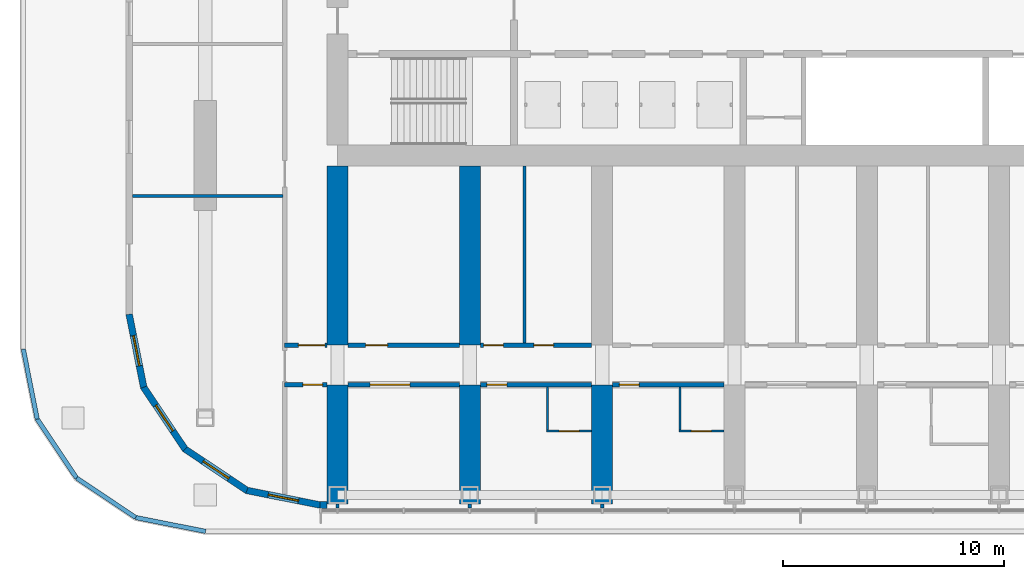
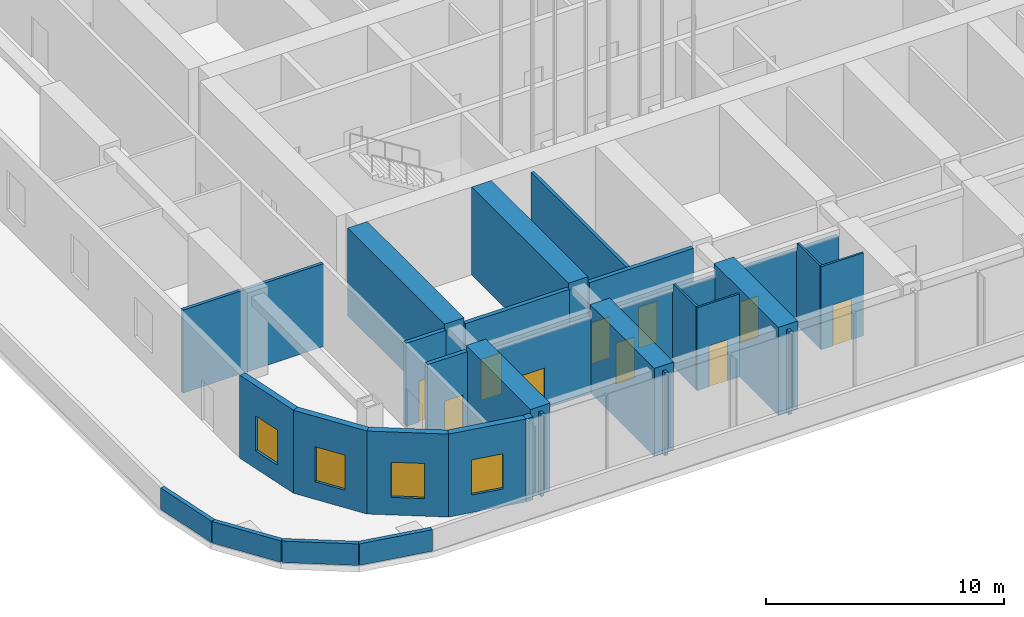
# One storey, part 10 of 32: 30 walls, 10 doors, 4 windows, 14 openings.
"""IFC4 building model written with IfcOpenShell, lengths in metres."""

from ifc_helpers import new_model, si_unit, direction, frame, frame_2d, origin, place, context, subcontext, project, spatial, polyline, rectangle, outline, extrude, material, layer, layer_set, type_object, element, fill, save


model = new_model("IFC4")

# Units and contexts
model_context = context("Model", 3, precision=1e-05, world=origin(), true_north=direction((0.0, 1.0)))
body_context = subcontext(model_context, "Body", "Model", "MODEL_VIEW")
ifc_project = project(units=[si_unit("LENGTHUNIT", "METRE"), si_unit("AREAUNIT", "SQUARE_METRE"), si_unit("VOLUMEUNIT", "CUBIC_METRE"), si_unit("PLANEANGLEUNIT", "RADIAN"), si_unit("MASSUNIT", "GRAM", prefix="KILO")], contexts=[model_context])

# Site, building, storey
site_placement = place(None, origin())
site = spatial("IfcSite", under=ifc_project, at=site_placement, CompositionType="ELEMENT")
building_placement = place(site_placement, origin())
building = spatial("IfcBuilding", under=site, at=building_placement, Name="Orbita Commons", CompositionType="ELEMENT")
storey_placement = place(building_placement, frame((0.0, 0.0, 140.35009765625)))
storey = spatial("IfcBuildingStorey", under=building, at=storey_placement, Name="L34", CompositionType="ELEMENT", Elevation=140.35009765625)

# Wall, opening, door
ifc_material_1 = material(Name="Concrete blockwork", Category="masonry")
ifc_layer_1 = layer(ifc_material_1, 0.199951171875)
ifc_layer_set_1 = layer_set([ifc_layer_1], Name="Concrete blockwork")
wall_type_1 = type_object("IfcWallType", Name="Corridor wall 200 blockwork", PredefinedType="SOLIDWALL", material=ifc_layer_set_1)
wall_1_placement = place(storey_placement, frame((15.60009765625, 15.39990234375, 0.0), z_axis=(0.0, 0.0, 1.0), x_axis=(1.0, 0.0, 0.0)))
wall_1 = element("IfcWall", 1, at=wall_1_placement, inside=storey, type_object=wall_type_1, Name="Corridor wall 200 blockwork L34", PredefinedType="SOLIDWALL", context=body_context, shape_type="SweptSolid", body=[
    extrude(rectangle(XDim=1.9248046875, YDim=0.199951171875, at=frame_2d((0.96240234375, 0.0))), origin(), (0.0, 0.0, 1.0), 4.25),
])
opening_1_placement = place(wall_1_placement, frame((0.824951171875, 0.0, 0.0)))
opening_1 = element("IfcOpeningElement", 2, at=opening_1_placement, cuts=wall_1, Name="Opening D05", PredefinedType="OPENING", context=body_context, shape_type="SweptSolid", body=[
    extrude(rectangle(XDim=0.89990234375, YDim=2.10009765625, at=frame_2d((0.449951171875, 1.050048828125))), frame((0.0, 0.10986328125, 0.0), z_axis=(0.0, -1.0, 0.0), x_axis=(1.0, 0.0, 0.0)), (0.0, 0.0, 1.0), 0.219970703125),
])
ifc_material_2 = material(Name="Steel-faced fire door leaf", Category="steel")
door_type_1 = type_object("IfcDoorType", Name="Service door 20 min 900x2100", OperationType="SINGLE_SWING_LEFT", PredefinedType="DOOR", material=ifc_material_2)
door_1_placement = place(opening_1_placement, origin())
door_1 = element("IfcDoor", 3, at=door_1_placement, inside=storey, type_object=door_type_1, Name="Linen store L34-KWS door", OperationType="SINGLE_SWING_LEFT", OverallHeight=2.10009765625, OverallWidth=0.89990234375, PredefinedType="DOOR", context=body_context, shape_type="SweptSolid", body=[
    extrude(rectangle(XDim=0.89990234375, YDim=2.10009765625, at=frame_2d((0.449951171875, 1.050048828125))), frame((0.0, 0.02490234375, 0.0), z_axis=(0.0, -1.0, 0.0), x_axis=(1.0, 0.0, 0.0)), (0.0, 0.0, 1.0), 0.050048828125),
])
fill(opening_1, door_1)

wall_2_placement = place(storey_placement, frame((18.47509765625, 15.39990234375, 0.0), z_axis=(0.0, 0.0, 1.0), x_axis=(1.0, 0.0, 0.0)))
wall_2 = element("IfcWall", 4, at=wall_2_placement, inside=storey, type_object=wall_type_1, Name="Corridor wall 200 blockwork L34", PredefinedType="SOLIDWALL", context=body_context, shape_type="SweptSolid", body=[
    extrude(outline(polyline([(0.0, 0.0), (5.0498046875, 0.0), (5.050048828125, 3.849853515625), (0.0, 3.849853515625), (0.0, 0.0)])), frame((0.0, 0.10009765625, 0.0), z_axis=(0.0, -1.0, 0.0), x_axis=(1.0, 0.0, 0.0)), (0.0, 0.0, 1.0), 0.199951171875),
])
opening_2_placement = place(wall_2_placement, frame((1.0, 0.0, 0.0)))
opening_2 = element("IfcOpeningElement", 5, at=opening_2_placement, cuts=wall_2, Name="Opening D07", PredefinedType="OPENING", context=body_context, shape_type="SweptSolid", body=[
    extrude(rectangle(XDim=1.800048828125, YDim=2.10009765625, at=frame_2d((0.89990234375, 1.050048828125))), frame((0.0, 0.10986328125, 0.0), z_axis=(0.0, -1.0, 0.0), x_axis=(1.0, 0.0, 0.0)), (0.0, 0.0, 1.0), 0.219970703125),
])
ifc_material_3 = material(Name="Steel-faced fire door leaf", Category="steel")
door_type_2 = type_object("IfcDoorType", Name="Double corridor door 20 min 1800x2100", OperationType="DOUBLE_DOOR_SINGLE_SWING", PredefinedType="DOOR", material=ifc_material_3)
door_2_placement = place(opening_2_placement, origin())
door_2 = element("IfcDoor", 6, at=door_2_placement, inside=storey, type_object=door_type_2, Name="Researchers' lounge L34-SF1 doors", OperationType="DOUBLE_DOOR_SINGLE_SWING", OverallHeight=2.10009765625, OverallWidth=1.800048828125, PredefinedType="DOOR", context=body_context, shape_type="SweptSolid", body=[
    extrude(rectangle(XDim=1.800048828125, YDim=2.10009765625, at=frame_2d((0.89990234375, 1.050048828125))), frame((0.0, 0.02490234375, 0.0), z_axis=(0.0, -1.0, 0.0), x_axis=(1.0, 0.0, 0.0)), (0.0, 0.0, 1.0), 0.050048828125),
])
fill(opening_2, door_2)

wall_3_placement = place(storey_placement, frame((24.47509765625, 15.39990234375, 0.0), z_axis=(0.0, 0.0, 1.0), x_axis=(1.0, 0.0, 0.0)))
wall_3 = element("IfcWall", 7, at=wall_3_placement, inside=storey, type_object=wall_type_1, Name="Corridor wall 200 blockwork L34", PredefinedType="SOLIDWALL", context=body_context, shape_type="SweptSolid", body=[
    extrude(outline(polyline([(0.0, 0.0), (5.0498046875, 0.0), (5.050048828125, 3.849853515625), (0.0, 3.849853515625), (0.0, 0.0)])), frame((0.0, 0.10009765625, 0.0), z_axis=(0.0, -1.0, 0.0), x_axis=(1.0, 0.0, 0.0)), (0.0, 0.0, 1.0), 0.199951171875),
])
opening_3_placement = place(wall_3_placement, frame((0.300048828125, 0.0, 0.0)))
opening_3 = element("IfcOpeningElement", 8, at=opening_3_placement, cuts=wall_3, Name="Opening D11", PredefinedType="OPENING", context=body_context, shape_type="SweptSolid", body=[
    extrude(rectangle(XDim=0.89990234375, YDim=2.10009765625, at=frame_2d((0.449951171875, 1.050048828125))), frame((0.0, 0.10986328125, 0.0), z_axis=(0.0, -1.0, 0.0), x_axis=(1.0, 0.0, 0.0)), (0.0, 0.0, 1.0), 0.219970703125),
])
ifc_material_4 = material(Name="Steel-faced fire door leaf", Category="steel")
door_type_3 = type_object("IfcDoorType", Name="Corridor door 20 min 900x2100", OperationType="SINGLE_SWING_LEFT", PredefinedType="DOOR", material=ifc_material_4)
door_3_placement = place(opening_3_placement, origin())
door_3 = element("IfcDoor", 9, at=door_3_placement, inside=storey, type_object=door_type_3, Name="Guest studio with kitchenette L34-SF2 door", OperationType="SINGLE_SWING_LEFT", OverallHeight=2.10009765625, OverallWidth=0.89990234375, PredefinedType="DOOR", context=body_context, shape_type="SweptSolid", body=[
    extrude(rectangle(XDim=0.89990234375, YDim=2.10009765625, at=frame_2d((0.449951171875, 1.050048828125))), frame((0.0, 0.02490234375, 0.0), z_axis=(0.0, -1.0, 0.0), x_axis=(1.0, 0.0, 0.0)), (0.0, 0.0, 1.0), 0.050048828125),
])
fill(opening_3, door_3)

wall_4_placement = place(storey_placement, frame((30.47509765625, 15.39990234375, 0.0), z_axis=(0.0, 0.0, 1.0), x_axis=(1.0, 0.0, 0.0)))
wall_4 = element("IfcWall", 10, at=wall_4_placement, inside=storey, type_object=wall_type_1, Name="Corridor wall 200 blockwork L34", PredefinedType="SOLIDWALL", context=body_context, shape_type="SweptSolid", body=[
    extrude(outline(polyline([(0.0, 0.0), (5.0498046875, 0.0), (5.050048828125, 3.849853515625), (0.0, 3.849853515625), (0.0, 0.0)])), frame((0.0, 0.10009765625, 0.0), z_axis=(0.0, -1.0, 0.0), x_axis=(1.0, 0.0, 0.0)), (0.0, 0.0, 1.0), 0.199951171875),
])
opening_4_placement = place(wall_4_placement, frame((0.300048828125, 0.0, 0.0)))
opening_4 = element("IfcOpeningElement", 11, at=opening_4_placement, cuts=wall_4, Name="Opening D11", PredefinedType="OPENING", context=body_context, shape_type="SweptSolid", body=[
    extrude(rectangle(XDim=0.89990234375, YDim=2.10009765625, at=frame_2d((0.449951171875, 1.050048828125))), frame((0.0, 0.10986328125, 0.0), z_axis=(0.0, -1.0, 0.0), x_axis=(1.0, 0.0, 0.0)), (0.0, 0.0, 1.0), 0.219970703125),
])
door_4_placement = place(opening_4_placement, origin())
door_4 = element("IfcDoor", 12, at=door_4_placement, inside=storey, type_object=door_type_3, Name="Guest studio with kitchenette L34-SF3 door", OperationType="SINGLE_SWING_LEFT", OverallHeight=2.10009765625, OverallWidth=0.89990234375, PredefinedType="DOOR", context=body_context, shape_type="SweptSolid", body=[
    extrude(rectangle(XDim=0.89990234375, YDim=2.10009765625, at=frame_2d((0.449951171875, 1.050048828125))), frame((0.0, 0.02490234375, 0.0), z_axis=(0.0, -1.0, 0.0), x_axis=(1.0, 0.0, 0.0)), (0.0, 0.0, 1.0), 0.050048828125),
])
fill(opening_4, door_4)

ifc_material_5 = material(Name="Hollow concrete block 200", Category="concrete")
ifc_layer_2 = layer(ifc_material_5, 0.199951171875)
ifc_layer_set_2 = layer_set([ifc_layer_2], Name="Hollow concrete block 200")
wall_type_2 = type_object("IfcWallType", Name="Corridor wall 200 hollow concrete block", PredefinedType="SOLIDWALL", material=ifc_layer_set_2)
wall_5_placement = place(storey_placement, frame((15.60009765625, 17.199951171875, 0.0), z_axis=(0.0, 0.0, 1.0), x_axis=(1.0, 0.0, 0.0)))
wall_5 = element("IfcWall", 13, at=wall_5_placement, inside=storey, type_object=wall_type_2, Name="Corridor wall 200 hollow concrete block L34", PredefinedType="SOLIDWALL", context=body_context, shape_type="SweptSolid", body=[
    extrude(rectangle(XDim=1.9248046875, YDim=0.199951171875, at=frame_2d((0.96240234375, 0.0))), origin(), (0.0, 0.0, 1.0), 4.25),
])
opening_5_placement = place(wall_5_placement, frame((0.625, 0.0, 0.0)))
opening_5 = element("IfcOpeningElement", 14, at=opening_5_placement, cuts=wall_5, Name="Opening D12", PredefinedType="OPENING", context=body_context, shape_type="SweptSolid", body=[
    extrude(rectangle(XDim=1.199951171875, YDim=2.10009765625, at=frame_2d((0.60009765625, 1.050048828125))), frame((0.0, 0.10986328125, 0.0), z_axis=(0.0, -1.0, 0.0), x_axis=(1.0, 0.0, 0.0)), (0.0, 0.0, 1.0), 0.219970703125),
])
ifc_material_6 = material(Name="Steel-faced fire door leaf", Category="steel")
door_type_4 = type_object("IfcDoorType", Name="Double corridor door 20 min 1200x2100", OperationType="DOUBLE_DOOR_SINGLE_SWING", PredefinedType="DOOR", material=ifc_material_6)
door_5_placement = place(opening_5_placement, origin())
door_5 = element("IfcDoor", 15, at=door_5_placement, inside=storey, type_object=door_type_4, Name="Cross corridor doors", OperationType="DOUBLE_DOOR_SINGLE_SWING", OverallHeight=2.10009765625, OverallWidth=1.199951171875, PredefinedType="DOOR", context=body_context, shape_type="SweptSolid", body=[
    extrude(rectangle(XDim=1.199951171875, YDim=2.10009765625, at=frame_2d((0.60009765625, 1.050048828125))), frame((0.0, 0.02490234375, 0.0), z_axis=(0.0, -1.0, 0.0), x_axis=(1.0, 0.0, 0.0)), (0.0, 0.0, 1.0), 0.050048828125),
])
fill(opening_5, door_5)

wall_6_placement = place(storey_placement, frame((18.47509765625, 17.199951171875, 0.0), z_axis=(0.0, 0.0, 1.0), x_axis=(1.0, 0.0, 0.0)))
wall_6 = element("IfcWall", 16, at=wall_6_placement, inside=storey, type_object=wall_type_2, Name="Corridor wall 200 hollow concrete block L34", PredefinedType="SOLIDWALL", context=body_context, shape_type="SweptSolid", body=[
    extrude(rectangle(XDim=5.0498046875, YDim=0.199951171875, at=frame_2d((2.52490234375, 0.0))), origin(), (0.0, 0.0, 1.0), 4.25),
])
opening_6_placement = place(wall_6_placement, frame((0.800048828125, 0.0, 0.0)))
opening_6 = element("IfcOpeningElement", 17, at=opening_6_placement, cuts=wall_6, Name="Opening D06", PredefinedType="OPENING", context=body_context, shape_type="SweptSolid", body=[
    extrude(rectangle(XDim=1.0, YDim=2.10009765625, at=frame_2d((0.5, 1.050048828125))), frame((0.0, 0.10986328125, 0.0), z_axis=(0.0, -1.0, 0.0), x_axis=(1.0, 0.0, 0.0)), (0.0, 0.0, 1.0), 0.219970703125),
])
ifc_material_7 = material(Name="Steel-faced fire door leaf", Category="steel")
door_type_5 = type_object("IfcDoorType", Name="Corridor door 20 min 1000x2100", OperationType="SINGLE_SWING_LEFT", PredefinedType="DOOR", material=ifc_material_7)
door_6_placement = place(opening_6_placement, origin())
door_6 = element("IfcDoor", 18, at=door_6_placement, inside=storey, type_object=door_type_5, Name="Catering store L34-BDS18 door", OperationType="SINGLE_SWING_LEFT", OverallHeight=2.10009765625, OverallWidth=1.0, PredefinedType="DOOR", context=body_context, shape_type="SweptSolid", body=[
    extrude(rectangle(XDim=1.0, YDim=2.10009765625, at=frame_2d((0.5, 1.050048828125))), frame((0.0, 0.02490234375, 0.0), z_axis=(0.0, -1.0, 0.0), x_axis=(1.0, 0.0, 0.0)), (0.0, 0.0, 1.0), 0.050048828125),
])
fill(opening_6, door_6)

# Wall, openings, doors
wall_7_placement = place(storey_placement, frame((24.47509765625, 17.199951171875, 0.0), z_axis=(0.0, 0.0, 1.0), x_axis=(1.0, 0.0, 0.0)))
wall_7 = element("IfcWall", 19, at=wall_7_placement, inside=storey, type_object=wall_type_2, Name="Corridor wall 200 hollow concrete block L34", PredefinedType="SOLIDWALL", context=body_context, shape_type="SweptSolid", body=[
    extrude(rectangle(XDim=5.0498046875, YDim=0.199951171875, at=frame_2d((2.52490234375, 0.0))), origin(), (0.0, 0.0, 1.0), 4.25),
])
opening_7_placement = place(wall_7_placement, frame((0.14990234375, 0.0, 0.0)))
opening_7 = element("IfcOpeningElement", 20, at=opening_7_placement, cuts=wall_7, Name="Opening D11", PredefinedType="OPENING", context=body_context, shape_type="SweptSolid", body=[
    extrude(rectangle(XDim=0.89990234375, YDim=2.10009765625, at=frame_2d((0.449951171875, 1.050048828125))), frame((0.0, 0.10986328125, 0.0), z_axis=(0.0, -1.0, 0.0), x_axis=(1.0, 0.0, 0.0)), (0.0, 0.0, 1.0), 0.219970703125),
])
opening_8_placement = place(wall_7_placement, frame((2.425048828125, 0.0, 0.0)))
opening_8 = element("IfcOpeningElement", 21, at=opening_8_placement, cuts=wall_7, Name="Opening D11", PredefinedType="OPENING", context=body_context, shape_type="SweptSolid", body=[
    extrude(rectangle(XDim=0.89990234375, YDim=2.10009765625, at=frame_2d((0.449951171875, 1.050048828125))), frame((0.0, 0.10986328125, 0.0), z_axis=(0.0, -1.0, 0.0), x_axis=(1.0, 0.0, 0.0)), (0.0, 0.0, 1.0), 0.219970703125),
])
door_7_placement = place(opening_7_placement, origin())
door_7 = element("IfcDoor", 22, at=door_7_placement, inside=storey, type_object=door_type_3, Name="Accessible WC and shower room L34-BDS24n door", OperationType="SINGLE_SWING_LEFT", OverallHeight=2.10009765625, OverallWidth=0.89990234375, PredefinedType="DOOR", context=body_context, shape_type="SweptSolid", body=[
    extrude(rectangle(XDim=0.89990234375, YDim=2.10009765625, at=frame_2d((0.449951171875, 1.050048828125))), frame((0.0, 0.02490234375, 0.0), z_axis=(0.0, -1.0, 0.0), x_axis=(1.0, 0.0, 0.0)), (0.0, 0.0, 1.0), 0.050048828125),
])
fill(opening_7, door_7)
door_8_placement = place(opening_8_placement, origin())
door_8 = element("IfcDoor", 23, at=door_8_placement, inside=storey, type_object=door_type_3, Name="Seminar room L34-BDS24 door", OperationType="SINGLE_SWING_LEFT", OverallHeight=2.10009765625, OverallWidth=0.89990234375, PredefinedType="DOOR", context=body_context, shape_type="SweptSolid", body=[
    extrude(rectangle(XDim=0.89990234375, YDim=2.10009765625, at=frame_2d((0.449951171875, 1.050048828125))), frame((0.0, 0.02490234375, 0.0), z_axis=(0.0, -1.0, 0.0), x_axis=(1.0, 0.0, 0.0)), (0.0, 0.0, 1.0), 0.050048828125),
])
fill(opening_8, door_8)

# Walls
ifc_material_8 = material(Name="Concrete C50/60", Category="concrete")
ifc_layer_3 = layer(ifc_material_8, 0.949951171875)
ifc_layer_set_3 = layer_set([ifc_layer_3], Name="Concrete C50/60")
wall_type_3 = type_object("IfcWallType", Name="Cross wall 950 C50/60", PredefinedType="SHEAR", material=ifc_layer_set_3)
wall_8_placement = place(storey_placement, frame((18.0, 10.0, 0.0), z_axis=(0.0, 0.0, 1.0), x_axis=(0.0, 1.0, 0.0)))
element("IfcWall", 24, at=wall_8_placement, inside=storey, type_object=wall_type_3, Name="Cross wall 4 south outer L34", PredefinedType="SHEAR", context=body_context, shape_type="SweptSolid", body=[
    extrude(rectangle(XDim=5.39990234375, YDim=0.949951171875, at=frame_2d((2.699951171875, 0.0))), origin(), (0.0, 0.0, 1.0), 4.5),
])
wall_9_placement = place(storey_placement, frame((18.0, 17.199951171875, 0.0), z_axis=(0.0, 0.0, 1.0), x_axis=(0.0, 1.0, 0.0)))
element("IfcWall", 25, at=wall_9_placement, inside=storey, type_object=wall_type_3, Name="Cross wall 4 south inner L34", PredefinedType="SHEAR", context=body_context, shape_type="SweptSolid", body=[
    extrude(rectangle(XDim=8.125, YDim=0.949951171875, at=frame_2d((4.0625, 0.0))), origin(), (0.0, 0.0, 1.0), 4.5),
])
wall_10_placement = place(storey_placement, frame((24.0, 10.0, 0.0), z_axis=(0.0, 0.0, 1.0), x_axis=(0.0, 1.0, 0.0)))
element("IfcWall", 26, at=wall_10_placement, inside=storey, type_object=wall_type_3, Name="Cross wall 5 south outer L34", PredefinedType="SHEAR", context=body_context, shape_type="SweptSolid", body=[
    extrude(rectangle(XDim=5.39990234375, YDim=0.949951171875, at=frame_2d((2.699951171875, 0.0))), origin(), (0.0, 0.0, 1.0), 4.5),
])
wall_11_placement = place(storey_placement, frame((24.0, 17.199951171875, 0.0), z_axis=(0.0, 0.0, 1.0), x_axis=(0.0, 1.0, 0.0)))
element("IfcWall", 27, at=wall_11_placement, inside=storey, type_object=wall_type_3, Name="Cross wall 5 south inner L34", PredefinedType="SHEAR", context=body_context, shape_type="SweptSolid", body=[
    extrude(rectangle(XDim=8.125, YDim=0.949951171875, at=frame_2d((4.0625, 0.0))), origin(), (0.0, 0.0, 1.0), 4.5),
])
wall_12_placement = place(storey_placement, frame((30.0, 10.0, 0.0), z_axis=(0.0, 0.0, 1.0), x_axis=(0.0, 1.0, 0.0)))
element("IfcWall", 28, at=wall_12_placement, inside=storey, type_object=wall_type_3, Name="Cross wall 6 south outer L34", PredefinedType="SHEAR", context=body_context, shape_type="SweptSolid", body=[
    extrude(rectangle(XDim=5.39990234375, YDim=0.949951171875, at=frame_2d((2.699951171875, 0.0))), origin(), (0.0, 0.0, 1.0), 4.5),
])

# Wall, opening, door
ifc_material_9 = material(Name="Moisture-resistant plasterboard on steel studs", Category="steel")
ifc_layer_4 = layer(ifc_material_9, 0.10009765625)
ifc_layer_set_4 = layer_set([ifc_layer_4], Name="Moisture-resistant plasterboard on steel studs")
wall_type_4 = type_object("IfcWallType", Name="En-suite partition 100", PredefinedType="PARTITIONING", material=ifc_layer_set_4)
wall_13_placement = place(storey_placement, frame((29.52490234375, 13.300048828125, 0.0), z_axis=(0.0, 0.0, 1.0), x_axis=(-1.0, 0.0, 0.0)))
wall_13 = element("IfcWall", 29, at=wall_13_placement, inside=storey, type_object=wall_type_4, Name="En-suite partition 100 L34", PredefinedType="PARTITIONING", context=body_context, shape_type="SweptSolid", body=[
    extrude(rectangle(XDim=2.0498046875, YDim=0.10009765625, at=frame_2d((1.02490234375, 0.0))), origin(), (0.0, 0.0, 1.0), 4.25),
])
opening_9_placement = place(wall_13_placement, frame((0.574951171875, 0.0, 0.0)))
opening_9 = element("IfcOpeningElement", 30, at=opening_9_placement, cuts=wall_13, Name="Opening D09", PredefinedType="OPENING", context=body_context, shape_type="SweptSolid", body=[
    extrude(rectangle(XDim=0.89990234375, YDim=2.10009765625, at=frame_2d((0.449951171875, 1.050048828125))), frame((0.0, 0.06005859375, 0.0), z_axis=(0.0, -1.0, 0.0), x_axis=(1.0, 0.0, 0.0)), (0.0, 0.0, 1.0), 0.1201171875),
])
ifc_material_10 = material(Name="Laminated timber door leaf", Category="wood")
door_type_6 = type_object("IfcDoorType", Name="En-suite door 900x2100", OperationType="SINGLE_SWING_RIGHT", PredefinedType="DOOR", material=ifc_material_10)
door_9_placement = place(opening_9_placement, origin())
door_9 = element("IfcDoor", 31, at=door_9_placement, inside=storey, type_object=door_type_6, Name="En-suite L34-SF2 door", OperationType="SINGLE_SWING_RIGHT", OverallHeight=2.10009765625, OverallWidth=0.89990234375, PredefinedType="DOOR", context=body_context, shape_type="SweptSolid", body=[
    extrude(rectangle(XDim=0.89990234375, YDim=2.10009765625, at=frame_2d((0.449951171875, 1.050048828125))), frame((0.0, 0.02490234375, 0.0), z_axis=(0.0, -1.0, 0.0), x_axis=(1.0, 0.0, 0.0)), (0.0, 0.0, 1.0), 0.050048828125),
])
fill(opening_9, door_9)

# Wall
wall_14_placement = place(storey_placement, frame((27.52490234375, 13.35009765625, 0.0), z_axis=(0.0, 0.0, 1.0), x_axis=(0.0, 1.0, 0.0)))
element("IfcWall", 32, at=wall_14_placement, inside=storey, type_object=wall_type_4, Name="En-suite partition 100 L34", PredefinedType="PARTITIONING", context=body_context, shape_type="SweptSolid", body=[
    extrude(outline(polyline([(0.0, 0.0), (1.949951171875, 0.0), (1.949951171875, 3.849853515625), (1.902099609375, 3.849853515625), (1.89990234375, 4.25), (0.0, 4.25), (0.0, 0.0)])), frame((0.0, 0.050048828125, 0.0), z_axis=(0.0, -1.0, 0.0), x_axis=(1.0, 0.0, 0.0)), (0.0, 0.0, 1.0), 0.10009765625),
])

# Wall, opening, door
wall_15_placement = place(storey_placement, frame((35.52490234375, 13.300048828125, 0.0), z_axis=(0.0, 0.0, 1.0), x_axis=(-1.0, 0.0, 0.0)))
wall_15 = element("IfcWall", 33, at=wall_15_placement, inside=storey, type_object=wall_type_4, Name="En-suite partition 100 L34", PredefinedType="PARTITIONING", context=body_context, shape_type="SweptSolid", body=[
    extrude(rectangle(XDim=2.0498046875, YDim=0.10009765625, at=frame_2d((1.02490234375, 0.0))), origin(), (0.0, 0.0, 1.0), 4.25),
])
opening_10_placement = place(wall_15_placement, frame((0.574951171875, 0.0, 0.0)))
opening_10 = element("IfcOpeningElement", 34, at=opening_10_placement, cuts=wall_15, Name="Opening D09", PredefinedType="OPENING", context=body_context, shape_type="SweptSolid", body=[
    extrude(rectangle(XDim=0.89990234375, YDim=2.10009765625, at=frame_2d((0.449951171875, 1.050048828125))), frame((0.0, 0.06005859375, 0.0), z_axis=(0.0, -1.0, 0.0), x_axis=(1.0, 0.0, 0.0)), (0.0, 0.0, 1.0), 0.1201171875),
])
door_10_placement = place(opening_10_placement, origin())
door_10 = element("IfcDoor", 35, at=door_10_placement, inside=storey, type_object=door_type_6, Name="En-suite L34-SF3 door", OperationType="SINGLE_SWING_RIGHT", OverallHeight=2.10009765625, OverallWidth=0.89990234375, PredefinedType="DOOR", context=body_context, shape_type="SweptSolid", body=[
    extrude(rectangle(XDim=0.89990234375, YDim=2.10009765625, at=frame_2d((0.449951171875, 1.050048828125))), frame((0.0, 0.02490234375, 0.0), z_axis=(0.0, -1.0, 0.0), x_axis=(1.0, 0.0, 0.0)), (0.0, 0.0, 1.0), 0.050048828125),
])
fill(opening_10, door_10)

# Walls
wall_16_placement = place(storey_placement, frame((33.52490234375, 13.35009765625, 0.0), z_axis=(0.0, 0.0, 1.0), x_axis=(0.0, 1.0, 0.0)))
element("IfcWall", 36, at=wall_16_placement, inside=storey, type_object=wall_type_4, Name="En-suite partition 100 L34", PredefinedType="PARTITIONING", context=body_context, shape_type="SweptSolid", body=[
    extrude(outline(polyline([(0.0, 0.0), (1.949951171875, 0.0), (1.949951171875, 3.849853515625), (1.902099609375, 3.849853515625), (1.89990234375, 4.25), (0.0, 4.25), (0.0, 0.0)])), frame((0.0, 0.050048828125, 0.0), z_axis=(0.0, -1.0, 0.0), x_axis=(1.0, 0.0, 0.0)), (0.0, 0.0, 1.0), 0.10009765625),
])
ifc_material_11 = material(Name="Gypsum plasterboard on steel studs", Category="steel")
ifc_layer_5 = layer(ifc_material_11, 0.14990234375)
ifc_layer_set_5 = layer_set([ifc_layer_5], Name="Gypsum plasterboard on steel studs")
wall_type_5 = type_object("IfcWallType", Name="Partition 150 plasterboard", PredefinedType="PARTITIONING", material=ifc_layer_set_5)
wall_17_placement = place(storey_placement, frame((26.47509765625, 17.300048828125, 0.0), z_axis=(0.0, 0.0, 1.0), x_axis=(0.0, 1.0, 0.0)))
element("IfcWall", 37, at=wall_17_placement, inside=storey, type_object=wall_type_5, Name="Partition 150 plasterboard L34", PredefinedType="PARTITIONING", context=body_context, shape_type="SweptSolid", body=[
    extrude(rectangle(XDim=8.02490234375, YDim=0.14990234375, at=frame_2d((4.012451171875, 0.0))), origin(), (0.0, 0.0, 1.0), 4.25),
])
wall_18_placement = place(storey_placement, frame((8.705078125, 23.9599609375, 0.0), z_axis=(0.0, 0.0, 1.0), x_axis=(1.0, 0.0, 0.0)))
element("IfcWall", 38, at=wall_18_placement, inside=storey, type_object=wall_type_5, Name="Partition 150 plasterboard L34", PredefinedType="PARTITIONING", context=body_context, shape_type="SweptSolid", body=[
    extrude(rectangle(XDim=6.81982421875, YDim=0.14990234375, at=frame_2d((3.409912109375, 0.0))), origin(), (0.0, 0.0, 1.0), 4.25),
])
for number, where, z_axis, x_axis, name in (
    (39, (18.0, 10.0, 0.0), (0.0, 0.0, 1.0), (0.0, -1.0, 0.0), "Partition 150 plasterboard L34"),
    (40, (24.0, 10.0, 0.0), (0.0, 0.0, 1.0), (0.0, -1.0, 0.0), "Partition 150 plasterboard L34"),
    (41, (30.0, 10.0, 0.0), (0.0, 0.0, 1.0), (0.0, -1.0, 0.0), "Partition 150 plasterboard L34"),
):
    element("IfcWall", number, at=place(storey_placement, frame(where, z_axis=z_axis, x_axis=x_axis)), inside=storey, type_object=wall_type_5, Name=name, PredefinedType="PARTITIONING", context=body_context, shape_type="SweptSolid", body=[
        extrude(rectangle(XDim=0.18994140625, YDim=0.14990234375, at=frame_2d((0.094970703125, 0.0))), origin(), (0.0, 0.0, 1.0), 4.25),
    ])

# Wall, opening, window
ifc_material_12 = material(Name="Precast concrete C40/50, white board-marked finish", Category="concrete")
ifc_layer_6 = layer(ifc_material_12, 0.300048828125)
ifc_layer_set_6 = layer_set([ifc_layer_6], Name="Precast concrete C40/50, white board-marked finish")
wall_type_6 = type_object("IfcWallType", Name="Precast concrete end shield 300", PredefinedType="SOLIDWALL", material=ifc_layer_set_6)
wall_19_placement = place(storey_placement, frame((8.550048828125, 18.60009765625, 0.0), z_axis=(0.0, 0.0, 1.0), x_axis=(0.19508664885, -0.980786011034, 0.0)))
wall_19 = element("IfcWall", 42, at=wall_19_placement, inside=storey, type_object=wall_type_6, Name="End shield SW chord 1 L34", PredefinedType="SOLIDWALL", context=body_context, shape_type="SweptSolid", body=[
    extrude(outline(polyline([(-0.014892578125, -0.14990234375), (3.405029296875, -0.14990234375), (3.345458984375, 0.14990234375), (0.014892578125, 0.14990234375), (-0.014892578125, -0.14990234375)])), origin(), (0.0, 0.0, 1.0), 4.25),
])
opening_11_placement = place(wall_19_placement, frame((0.987548828125, 0.0, 0.89990234375)))
opening_11 = element("IfcOpeningElement", 43, at=opening_11_placement, cuts=wall_19, Name="Opening W02", PredefinedType="OPENING", context=body_context, shape_type="SweptSolid", body=[
    extrude(rectangle(XDim=1.39990234375, YDim=1.800048828125, at=frame_2d((0.699951171875, 0.89990234375))), frame((0.0, 0.159912109375, 0.0), z_axis=(0.0, -1.0, 0.0), x_axis=(1.0, 0.0, 0.0)), (0.0, 0.0, 1.0), 0.320068359375),
])
ifc_material_13 = material(Name="Aluminium frame, clear double glazing", Category="aluminium")
window_type = type_object("IfcWindowType", Name="Deep-set window 1400x1800", PartitioningType="SINGLE_PANEL", PredefinedType="WINDOW", material=ifc_material_13)
window_1_placement = place(opening_11_placement, origin())
window_1 = element("IfcWindow", 44, at=window_1_placement, inside=storey, type_object=window_type, Name="Window L34-SW0", OverallHeight=1.800048828125, OverallWidth=1.39990234375, PartitioningType="SINGLE_PANEL", PredefinedType="WINDOW", context=body_context, shape_type="SweptSolid", body=[
    extrude(rectangle(XDim=1.39990234375, YDim=1.800048828125, at=frame_2d((0.699951171875, 0.89990234375))), frame((0.0, 0.030029296875, 0.0), z_axis=(0.0, -1.0, 0.0), x_axis=(1.0, 0.0, 0.0)), (0.0, 0.0, 1.0), 0.06005859375),
])
fill(opening_11, window_1)

wall_20_placement = place(storey_placement, frame((9.20849609375, 15.289794921875, 0.0), z_axis=(0.0, 0.0, 1.0), x_axis=(0.555534554399, -0.831493450887, 0.0)))
wall_20 = element("IfcWall", 45, at=wall_20_placement, inside=storey, type_object=wall_type_6, Name="End shield SW chord 2 L34", PredefinedType="SOLIDWALL", context=body_context, shape_type="SweptSolid", body=[
    extrude(outline(polyline([(-0.02978515625, -0.14990234375), (3.405029296875, -0.14990234375), (3.345458984375, 0.14990234375), (0.02978515625, 0.14990234375), (-0.02978515625, -0.14990234375)])), origin(), (0.0, 0.0, 1.0), 4.25),
])
opening_12_placement = place(wall_20_placement, frame((0.987548828125, 0.0, 0.89990234375)))
opening_12 = element("IfcOpeningElement", 46, at=opening_12_placement, cuts=wall_20, Name="Opening W02", PredefinedType="OPENING", context=body_context, shape_type="SweptSolid", body=[
    extrude(rectangle(XDim=1.39990234375, YDim=1.800048828125, at=frame_2d((0.699951171875, 0.89990234375))), frame((0.0, 0.159912109375, 0.0), z_axis=(0.0, -1.0, 0.0), x_axis=(1.0, 0.0, 0.0)), (0.0, 0.0, 1.0), 0.320068359375),
])
window_2_placement = place(opening_12_placement, origin())
window_2 = element("IfcWindow", 47, at=window_2_placement, inside=storey, type_object=window_type, Name="Window L34-SW1", OverallHeight=1.800048828125, OverallWidth=1.39990234375, PartitioningType="SINGLE_PANEL", PredefinedType="WINDOW", context=body_context, shape_type="SweptSolid", body=[
    extrude(rectangle(XDim=1.39990234375, YDim=1.800048828125, at=frame_2d((0.699951171875, 0.89990234375))), frame((0.0, 0.030029296875, 0.0), z_axis=(0.0, -1.0, 0.0), x_axis=(1.0, 0.0, 0.0)), (0.0, 0.0, 1.0), 0.06005859375),
])
fill(opening_12, window_2)

wall_21_placement = place(storey_placement, frame((11.08349609375, 12.4833984375, 0.0), z_axis=(0.0, 0.0, 1.0), x_axis=(0.831493450887, -0.555534554399, 0.0)))
wall_21 = element("IfcWall", 48, at=wall_21_placement, inside=storey, type_object=wall_type_6, Name="End shield SW chord 3 L34", PredefinedType="SOLIDWALL", context=body_context, shape_type="SweptSolid", body=[
    extrude(outline(polyline([(-0.02978515625, -0.14990234375), (3.405029296875, -0.14990234375), (3.345458984375, 0.14990234375), (0.02978515625, 0.14990234375), (-0.02978515625, -0.14990234375)])), origin(), (0.0, 0.0, 1.0), 4.25),
])
opening_13_placement = place(wall_21_placement, frame((0.987548828125, 0.0, 0.89990234375)))
opening_13 = element("IfcOpeningElement", 49, at=opening_13_placement, cuts=wall_21, Name="Opening W02", PredefinedType="OPENING", context=body_context, shape_type="SweptSolid", body=[
    extrude(rectangle(XDim=1.39990234375, YDim=1.800048828125, at=frame_2d((0.699951171875, 0.89990234375))), frame((0.0, 0.159912109375, 0.0), z_axis=(0.0, -1.0, 0.0), x_axis=(1.0, 0.0, 0.0)), (0.0, 0.0, 1.0), 0.320068359375),
])
window_3_placement = place(opening_13_placement, origin())
window_3 = element("IfcWindow", 50, at=window_3_placement, inside=storey, type_object=window_type, Name="Window L34-SW2", OverallHeight=1.800048828125, OverallWidth=1.39990234375, PartitioningType="SINGLE_PANEL", PredefinedType="WINDOW", context=body_context, shape_type="SweptSolid", body=[
    extrude(rectangle(XDim=1.39990234375, YDim=1.800048828125, at=frame_2d((0.699951171875, 0.89990234375))), frame((0.0, 0.030029296875, 0.0), z_axis=(0.0, -1.0, 0.0), x_axis=(1.0, 0.0, 0.0)), (0.0, 0.0, 1.0), 0.06005859375),
])
fill(opening_13, window_3)

wall_22_placement = place(storey_placement, frame((13.889892578125, 10.6083984375, 0.0), z_axis=(0.0, 0.0, 1.0), x_axis=(0.98078325777, -0.195100490205, 0.0)))
wall_22 = element("IfcWall", 51, at=wall_22_placement, inside=storey, type_object=wall_type_6, Name="End shield SW chord 4 L34", PredefinedType="SOLIDWALL", context=body_context, shape_type="SweptSolid", body=[
    extrude(outline(polyline([(-0.02978515625, -0.14990234375), (3.40478515625, -0.14990234375), (3.34521484375, 0.14990234375), (0.02978515625, 0.14990234375), (-0.02978515625, -0.14990234375)])), origin(), (0.0, 0.0, 1.0), 4.25),
])
opening_14_placement = place(wall_22_placement, frame((0.987548828125, 0.0, 0.89990234375)))
opening_14 = element("IfcOpeningElement", 52, at=opening_14_placement, cuts=wall_22, Name="Opening W02", PredefinedType="OPENING", context=body_context, shape_type="SweptSolid", body=[
    extrude(rectangle(XDim=1.39990234375, YDim=1.800048828125, at=frame_2d((0.699951171875, 0.89990234375))), frame((0.0, 0.159912109375, 0.0), z_axis=(0.0, -1.0, 0.0), x_axis=(1.0, 0.0, 0.0)), (0.0, 0.0, 1.0), 0.320068359375),
])
window_4_placement = place(opening_14_placement, origin())
window_4 = element("IfcWindow", 53, at=window_4_placement, inside=storey, type_object=window_type, Name="Window L34-SW3", OverallHeight=1.800048828125, OverallWidth=1.39990234375, PartitioningType="SINGLE_PANEL", PredefinedType="WINDOW", context=body_context, shape_type="SweptSolid", body=[
    extrude(rectangle(XDim=1.39990234375, YDim=1.800048828125, at=frame_2d((0.699951171875, 0.89990234375))), frame((0.0, 0.030029296875, 0.0), z_axis=(0.0, -1.0, 0.0), x_axis=(1.0, 0.0, 0.0)), (0.0, 0.0, 1.0), 0.06005859375),
])
fill(opening_14, window_4)

# Walls
wall_23_placement = place(storey_placement, frame((17.199951171875, 9.949951171875, 0.0), z_axis=(0.0, 0.0, 1.0), x_axis=(1.0, 0.0, 0.0)))
element("IfcWall", 54, at=wall_23_placement, inside=storey, type_object=wall_type_6, Name="End shield SW closer L34", PredefinedType="SOLIDWALL", context=body_context, shape_type="SweptSolid", body=[
    extrude(rectangle(XDim=0.324951171875, YDim=0.300048828125, at=frame_2d((0.16259765625, 0.0))), origin(), (0.0, 0.0, 1.0), 4.25),
])
ifc_material_14 = material(Name="Precast concrete C40/50, white board-marked finish", Category="concrete")
ifc_layer_7 = layer(ifc_material_14, 0.199951171875)
ifc_layer_set_7 = layer_set([ifc_layer_7], Name="Precast concrete C40/50, white board-marked finish")
wall_type_7 = type_object("IfcWallType", Name="Precast parapet 200", PredefinedType="PARAPET", material=ifc_layer_set_7)
wall_24_placement = place(storey_placement, frame((12.014892578125, 8.75, 0.0), z_axis=(0.0, 0.0, 1.0), x_axis=(-0.980792126237, 0.195055902531, 0.0)))
element("IfcWall", 55, at=wall_24_placement, inside=storey, type_object=wall_type_7, Name="Parapet L34 1.5", PredefinedType="PARAPET", context=body_context, shape_type="SweptSolid", body=[
    extrude(rectangle(XDim=3.23291015625, YDim=0.199951171875, at=frame_2d((1.616455078125, 0.0))), origin(), (0.0, 0.0, 1.0), 1.099853515625),
])
for number, where, z_axis, x_axis, name in (
    (56, (8.843994140625, 9.380615234375, 0.0), (0.0, 0.0, 1.0), (-0.831454530953, 0.555592803191, 0.0), "Parapet L34 1.6"),
    (57, (6.16845703125, 11.16845703125, 0.0), (0.0, 0.0, 1.0), (-0.555592803191, 0.831454530953, 0.0), "Parapet L34 1.7"),
):
    element("IfcWall", number, at=place(storey_placement, frame(where, z_axis=z_axis, x_axis=x_axis)), inside=storey, type_object=wall_type_7, Name=name, PredefinedType="PARAPET", context=body_context, shape_type="SweptSolid", body=[
        extrude(rectangle(XDim=3.218017578125, YDim=0.199951171875, at=frame_2d((1.60888671875, 0.0))), origin(), (0.0, 0.0, 1.0), 1.099853515625),
    ])
wall_25_placement = place(storey_placement, frame((4.380615234375, 13.843994140625, 0.0), z_axis=(0.0, 0.0, 1.0), x_axis=(-0.195055902531, 0.980792126237, 0.0)))
element("IfcWall", 58, at=wall_25_placement, inside=storey, type_object=wall_type_7, Name="Parapet L34 1.8", PredefinedType="PARAPET", context=body_context, shape_type="SweptSolid", body=[
    extrude(rectangle(XDim=3.23291015625, YDim=0.199951171875, at=frame_2d((1.616455078125, 0.0))), origin(), (0.0, 0.0, 1.0), 1.099853515625),
])

save(model, "model.ifc")
